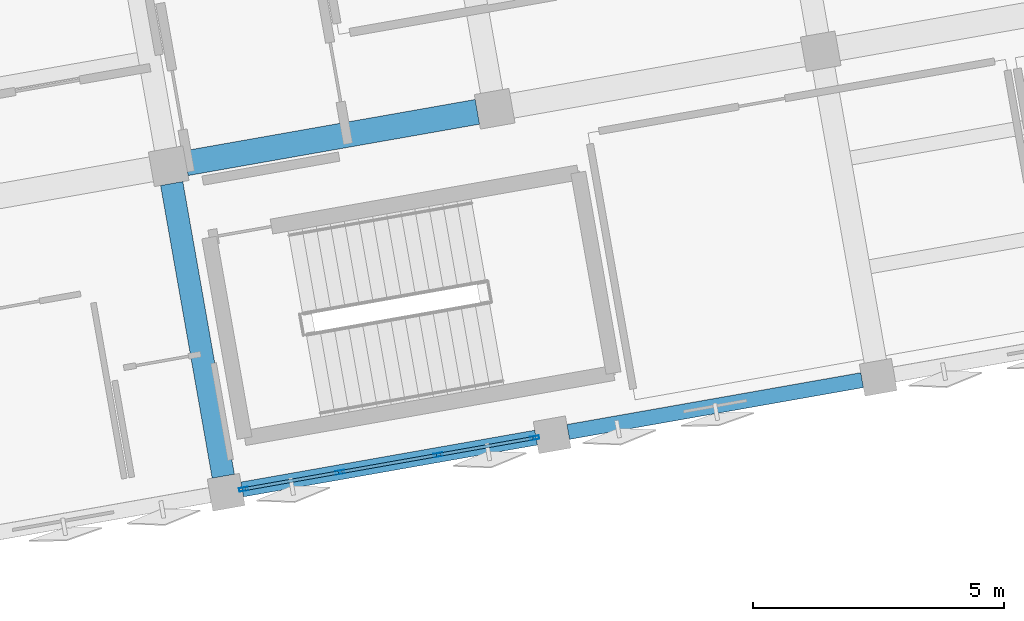
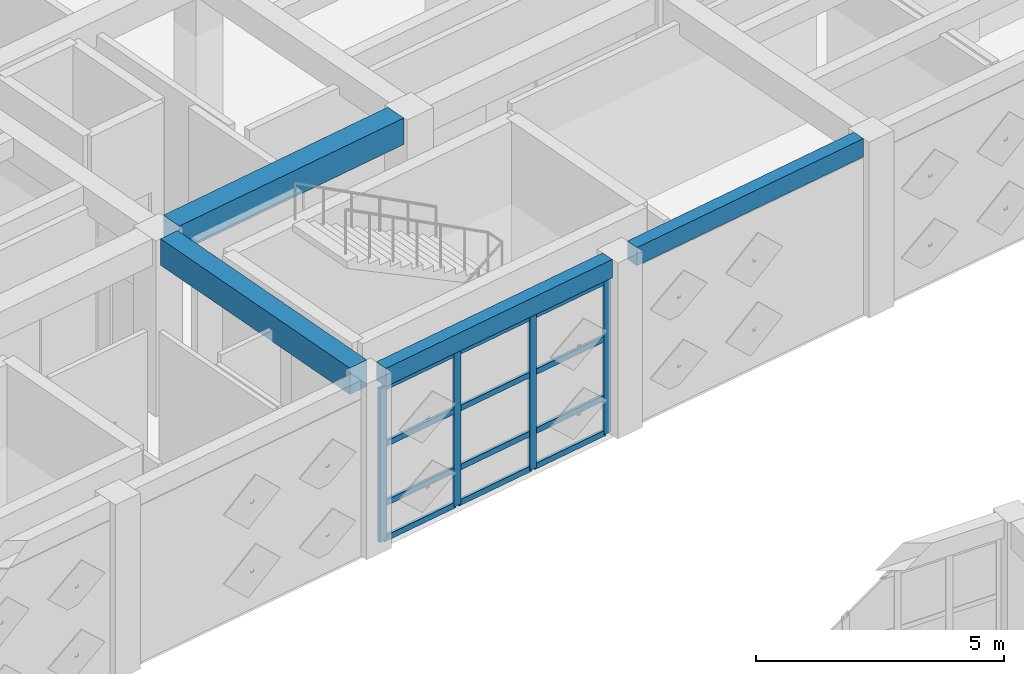
# One storey, part 13 of 67: 16 members, 4 beams, 1 element without a shape of its own.
"""IFC4 building model written with IfcOpenShell, lengths in metres."""

from ifc_helpers import new_model, si_unit, direction, frame, origin, origin_2d, place, context, subcontext, project, spatial, rectangle, hollow_rectangle, extrude, material, layer, layer_set, material_profile, profile_set, type_object, element, aggregate, save


model = new_model("IFC4")

# Units and contexts
model_context = context("Model", 3, precision=1e-05, world=origin(), true_north=direction((0.0, 1.0)))
body_context = subcontext(model_context, "Body", "Model", "MODEL_VIEW")
ifc_project = project(units=[si_unit("LENGTHUNIT", "METRE"), si_unit("AREAUNIT", "SQUARE_METRE"), si_unit("VOLUMEUNIT", "CUBIC_METRE"), si_unit("PLANEANGLEUNIT", "RADIAN"), si_unit("MASSUNIT", "GRAM", prefix="KILO")], contexts=[model_context])

# Site, building, storey
site_placement = place(None, origin())
site = spatial("IfcSite", under=ifc_project, at=site_placement, CompositionType="ELEMENT")
building_placement = place(site_placement, origin())
building = spatial("IfcBuilding", under=site, at=building_placement, Name="Kharisveld Research Institute", CompositionType="ELEMENT")
storey_placement = place(building_placement, frame((0.0, 0.0, 9.60009765625)))
storey = spatial("IfcBuildingStorey", under=building, at=storey_placement, Name="L02", CompositionType="ELEMENT", Elevation=9.60009765625)

# Beams
ifc_material_1 = material(Name="Concrete C40/50", Category="concrete")
ifc_material_profile_1 = material_profile(ifc_material_1, rectangle(XDim=0.449951171875, YDim=0.64990234375, at=origin_2d()))
ifc_profile_set_1 = profile_set([ifc_material_profile_1], Name="Concrete C40/50")
beam_type_1 = type_object("IfcBeamType", Name="BM_RC_450x650", PredefinedType="BEAM", material=ifc_profile_set_1)
beam_1_placement = place(storey_placement, frame((18.14306640625, 37.622314453125, 3.994873046875), z_axis=(-0.173639592071, 0.984809266846, 0.0), x_axis=(-0.984809266846, -0.173639592071, 0.0)))
element("IfcBeam", 1, at=beam_1_placement, inside=storey, type_object=beam_type_1, Name="BM:V1:L02:V2_0", PredefinedType="BEAM", context=body_context, shape_type="SweptSolid", body=[
    extrude(rectangle(XDim=0.449951171875, YDim=0.64990234375, at=origin_2d()), origin(), (0.0, 0.0, 1.0), 5.925048828125),
])
ifc_material_2 = material(Name="Concrete C40/50", Category="concrete")
ifc_material_profile_2 = material_profile(ifc_material_2, rectangle(XDim=0.5, YDim=0.64990234375, at=origin_2d()))
ifc_profile_set_2 = profile_set([ifc_material_profile_2], Name="Concrete C40/50")
beam_type_2 = type_object("IfcBeamType", Name="BM_RC_500x650", PredefinedType="BEAM", material=ifc_profile_set_2)
beam_2_placement = place(storey_placement, frame((17.39794921875, 43.862548828125, 3.994873046875), z_axis=(0.98480479605, 0.173664946598, 0.0), x_axis=(-0.173664946598, 0.98480479605, 0.0)))
element("IfcBeam", 2, at=beam_2_placement, inside=storey, type_object=beam_type_2, Name="BM:V1:L02:U2_1", PredefinedType="BEAM", context=body_context, shape_type="SweptSolid", body=[
    extrude(rectangle(XDim=0.5, YDim=0.64990234375, at=origin_2d()), origin(), (0.0, 0.0, 1.0), 5.900146484375),
])

# Curtain wall, members
ifc_material_3 = material(Name="Thermally Broken Aluminium Curtain Wall", Category="aluminium")
ifc_layer = layer(ifc_material_3, 0.159912109375)
ifc_layer_set = layer_set([ifc_layer], Name="CW_SYS_05")
curtain_wall_type = type_object("IfcCurtainWallType", Name="CW_SYS_05", PredefinedType="NOTDEFINED", material=ifc_layer_set)
curtain_wall_placement = place(storey_placement, origin())
curtain_wall = element("IfcCurtainWall", 3, at=curtain_wall_placement, inside=storey, type_object=curtain_wall_type, Name="CW:V1:L02:S3", PredefinedType="NOTDEFINED")
ifc_material_4 = material(Name="Anodised Aluminium AW-6063-T6", Category="aluminium")
ifc_material_profile_3 = material_profile(ifc_material_4, hollow_rectangle(XDim=0.070068359375, YDim=0.179931640625, WallThickness=0.00439453125, at=origin_2d()))
ifc_profile_set_3 = profile_set([ifc_material_profile_3], Name="Anodised Aluminium AW-6063-T6")
member_type_1 = type_object("IfcMemberType", Name="CW_MUL_180", PredefinedType="MULLION", material=ifc_profile_set_3)
member_1_placement = place(storey_placement, frame((24.349609375, 38.386474609375, 0.0), z_axis=(0.0, 0.0, 1.0), x_axis=(0.173648266375, -0.984807737371, 0.0)))
member_1 = element("IfcMember", 4, at=member_1_placement, type_object=member_type_1, Name="CW-05 mullion 1", PredefinedType="MULLION", context=body_context, shape_type="SweptSolid", body=[
    extrude(hollow_rectangle(XDim=0.070068359375, YDim=0.179931640625, WallThickness=0.00439453125, at=origin_2d()), origin(), (0.0, 0.0, 1.0), 3.77978515625),
])
member_2_placement = place(storey_placement, frame((22.427490234375, 38.047607421875, 0.0), z_axis=(0.0, 0.0, 1.0), x_axis=(0.173648266375, -0.984807737371, 0.0)))
member_2 = element("IfcMember", 5, at=member_2_placement, type_object=member_type_1, Name="CW-05 mullion 2", PredefinedType="MULLION", context=body_context, shape_type="SweptSolid", body=[
    extrude(hollow_rectangle(XDim=0.070068359375, YDim=0.179931640625, WallThickness=0.00439453125, at=origin_2d()), origin(), (0.0, 0.0, 1.0), 3.77978515625),
])
member_3_placement = place(storey_placement, frame((20.47119140625, 37.70263671875, 0.0), z_axis=(0.0, 0.0, 1.0), x_axis=(0.173648266375, -0.984807737371, 0.0)))
member_3 = element("IfcMember", 6, at=member_3_placement, type_object=member_type_1, Name="CW-05 mullion 3", PredefinedType="MULLION", context=body_context, shape_type="SweptSolid", body=[
    extrude(hollow_rectangle(XDim=0.070068359375, YDim=0.179931640625, WallThickness=0.00439453125, at=origin_2d()), origin(), (0.0, 0.0, 1.0), 3.77978515625),
])
member_4_placement = place(storey_placement, frame((18.549072265625, 37.36376953125, 0.0), z_axis=(0.0, 0.0, 1.0), x_axis=(0.173648266375, -0.984807737371, 0.0)))
member_4 = element("IfcMember", 7, at=member_4_placement, type_object=member_type_1, Name="CW-05 mullion 4", PredefinedType="MULLION", context=body_context, shape_type="SweptSolid", body=[
    extrude(hollow_rectangle(XDim=0.070068359375, YDim=0.179931640625, WallThickness=0.00439453125, at=origin_2d()), origin(), (0.0, 0.0, 1.0), 3.77978515625),
])
ifc_material_5 = material(Name="Anodised Aluminium AW-6063-T6", Category="aluminium")
ifc_material_profile_4 = material_profile(ifc_material_5, hollow_rectangle(XDim=0.06494140625, YDim=0.139892578125, WallThickness=0.00390625, at=origin_2d()))
ifc_profile_set_4 = profile_set([ifc_material_profile_4], Name="Anodised Aluminium AW-6063-T6")
member_type_2 = type_object("IfcMemberType", Name="CW_TRN_140", PredefinedType="USERDEFINED", material=ifc_profile_set_4)
member_5_placement = place(storey_placement, frame((24.315185546875, 38.380615234375, 0.032470703125), z_axis=(-0.98479270082, -0.173733521265, 0.0), x_axis=(0.173733521265, -0.98479270082, 0.0)))
member_5 = element("IfcMember", 8, at=member_5_placement, type_object=member_type_2, Name="CW-05 transom 1.1", ObjectType="TRANSOM", PredefinedType="USERDEFINED", context=body_context, shape_type="SweptSolid", body=[
    extrude(hollow_rectangle(XDim=0.06494140625, YDim=0.139892578125, WallThickness=0.00390625, at=origin_2d()), origin(), (0.0, 0.0, 1.0), 1.881591796875),
])
member_6_placement = place(storey_placement, frame((24.315185546875, 38.380615234375, 0.89990234375), z_axis=(-0.98479270082, -0.173733521265, 0.0), x_axis=(0.173733521265, -0.98479270082, 0.0)))
member_6 = element("IfcMember", 9, at=member_6_placement, type_object=member_type_2, Name="CW-05 transom 1.2", ObjectType="TRANSOM", PredefinedType="USERDEFINED", context=body_context, shape_type="SweptSolid", body=[
    extrude(hollow_rectangle(XDim=0.06494140625, YDim=0.139892578125, WallThickness=0.00390625, at=origin_2d()), origin(), (0.0, 0.0, 1.0), 1.881591796875),
])
member_7_placement = place(storey_placement, frame((24.315185546875, 38.380615234375, 2.349853515625), z_axis=(-0.98479270082, -0.173733521265, 0.0), x_axis=(0.173733521265, -0.98479270082, 0.0)))
member_7 = element("IfcMember", 10, at=member_7_placement, type_object=member_type_2, Name="CW-05 transom 1.3", ObjectType="TRANSOM", PredefinedType="USERDEFINED", context=body_context, shape_type="SweptSolid", body=[
    extrude(hollow_rectangle(XDim=0.06494140625, YDim=0.139892578125, WallThickness=0.00390625, at=origin_2d()), origin(), (0.0, 0.0, 1.0), 1.881591796875),
])
member_8_placement = place(storey_placement, frame((24.315185546875, 38.380615234375, 3.747314453125), z_axis=(-0.98479270082, -0.173733521265, 0.0), x_axis=(0.173733521265, -0.98479270082, 0.0)))
member_8 = element("IfcMember", 11, at=member_8_placement, type_object=member_type_2, Name="CW-05 transom 1.4", ObjectType="TRANSOM", PredefinedType="USERDEFINED", context=body_context, shape_type="SweptSolid", body=[
    extrude(hollow_rectangle(XDim=0.06494140625, YDim=0.139892578125, WallThickness=0.00390625, at=origin_2d()), origin(), (0.0, 0.0, 1.0), 1.881591796875),
])
member_9_placement = place(storey_placement, frame((22.39306640625, 38.04150390625, 0.032470703125), z_axis=(-0.984811758578, -0.173625459441, 0.0), x_axis=(0.173625459441, -0.984811758578, 0.0)))
member_9 = element("IfcMember", 12, at=member_9_placement, type_object=member_type_2, Name="CW-05 transom 2.1", ObjectType="TRANSOM", PredefinedType="USERDEFINED", context=body_context, shape_type="SweptSolid", body=[
    extrude(hollow_rectangle(XDim=0.06494140625, YDim=0.139892578125, WallThickness=0.00390625, at=origin_2d()), origin(), (0.0, 0.0, 1.0), 1.91650390625),
])
member_10_placement = place(storey_placement, frame((22.39306640625, 38.04150390625, 0.89990234375), z_axis=(-0.984811758578, -0.173625459441, 0.0), x_axis=(0.173625459441, -0.984811758578, 0.0)))
member_10 = element("IfcMember", 13, at=member_10_placement, type_object=member_type_2, Name="CW-05 transom 2.2", ObjectType="TRANSOM", PredefinedType="USERDEFINED", context=body_context, shape_type="SweptSolid", body=[
    extrude(hollow_rectangle(XDim=0.06494140625, YDim=0.139892578125, WallThickness=0.00390625, at=origin_2d()), origin(), (0.0, 0.0, 1.0), 1.91650390625),
])
member_11_placement = place(storey_placement, frame((22.39306640625, 38.04150390625, 2.349853515625), z_axis=(-0.984811758578, -0.173625459441, 0.0), x_axis=(0.173625459441, -0.984811758578, 0.0)))
member_11 = element("IfcMember", 14, at=member_11_placement, type_object=member_type_2, Name="CW-05 transom 2.3", ObjectType="TRANSOM", PredefinedType="USERDEFINED", context=body_context, shape_type="SweptSolid", body=[
    extrude(hollow_rectangle(XDim=0.06494140625, YDim=0.139892578125, WallThickness=0.00390625, at=origin_2d()), origin(), (0.0, 0.0, 1.0), 1.91650390625),
])
member_12_placement = place(storey_placement, frame((22.39306640625, 38.04150390625, 3.747314453125), z_axis=(-0.984811758578, -0.173625459441, 0.0), x_axis=(0.173625459441, -0.984811758578, 0.0)))
member_12 = element("IfcMember", 15, at=member_12_placement, type_object=member_type_2, Name="CW-05 transom 2.4", ObjectType="TRANSOM", PredefinedType="USERDEFINED", context=body_context, shape_type="SweptSolid", body=[
    extrude(hollow_rectangle(XDim=0.06494140625, YDim=0.139892578125, WallThickness=0.00390625, at=origin_2d()), origin(), (0.0, 0.0, 1.0), 1.91650390625),
])
member_13_placement = place(storey_placement, frame((20.4365234375, 37.696533203125, 0.032470703125), z_axis=(-0.984814892183, -0.173607684551, 0.0), x_axis=(0.173607684551, -0.984814892183, 0.0)))
member_13 = element("IfcMember", 16, at=member_13_placement, type_object=member_type_2, Name="CW-05 transom 3.1", ObjectType="TRANSOM", PredefinedType="USERDEFINED", context=body_context, shape_type="SweptSolid", body=[
    extrude(hollow_rectangle(XDim=0.06494140625, YDim=0.139892578125, WallThickness=0.00390625, at=origin_2d()), origin(), (0.0, 0.0, 1.0), 1.881591796875),
])
member_14_placement = place(storey_placement, frame((20.4365234375, 37.696533203125, 0.89990234375), z_axis=(-0.984814892183, -0.173607684551, 0.0), x_axis=(0.173607684551, -0.984814892183, 0.0)))
member_14 = element("IfcMember", 17, at=member_14_placement, type_object=member_type_2, Name="CW-05 transom 3.2", ObjectType="TRANSOM", PredefinedType="USERDEFINED", context=body_context, shape_type="SweptSolid", body=[
    extrude(hollow_rectangle(XDim=0.06494140625, YDim=0.139892578125, WallThickness=0.00390625, at=origin_2d()), origin(), (0.0, 0.0, 1.0), 1.881591796875),
])
member_15_placement = place(storey_placement, frame((20.4365234375, 37.696533203125, 2.349853515625), z_axis=(-0.984814892183, -0.173607684551, 0.0), x_axis=(0.173607684551, -0.984814892183, 0.0)))
member_15 = element("IfcMember", 18, at=member_15_placement, type_object=member_type_2, Name="CW-05 transom 3.3", ObjectType="TRANSOM", PredefinedType="USERDEFINED", context=body_context, shape_type="SweptSolid", body=[
    extrude(hollow_rectangle(XDim=0.06494140625, YDim=0.139892578125, WallThickness=0.00390625, at=origin_2d()), origin(), (0.0, 0.0, 1.0), 1.881591796875),
])
member_16_placement = place(storey_placement, frame((20.4365234375, 37.696533203125, 3.747314453125), z_axis=(-0.984814892183, -0.173607684551, 0.0), x_axis=(0.173607684551, -0.984814892183, 0.0)))
member_16 = element("IfcMember", 19, at=member_16_placement, type_object=member_type_2, Name="CW-05 transom 3.4", ObjectType="TRANSOM", PredefinedType="USERDEFINED", context=body_context, shape_type="SweptSolid", body=[
    extrude(hollow_rectangle(XDim=0.06494140625, YDim=0.139892578125, WallThickness=0.00390625, at=origin_2d()), origin(), (0.0, 0.0, 1.0), 1.881591796875),
])
aggregate(curtain_wall, [member_1, member_2, member_3, member_4, member_5, member_6, member_7, member_8, member_9, member_10, member_11, member_12, member_13, member_14, member_15, member_16])

# Beams
ifc_material_6 = material(Name="Concrete C40/50", Category="concrete")
ifc_material_profile_5 = material_profile(ifc_material_6, rectangle(XDim=0.300048828125, YDim=0.449951171875, at=origin_2d()))
ifc_profile_set_5 = profile_set([ifc_material_profile_5], Name="Concrete C40/50")
beam_type_3 = type_object("IfcBeamType", Name="SP_RC_300x450", PredefinedType="SPANDREL", material=ifc_profile_set_5)
for number, where, z_axis, x_axis, name in (
    (20, (18.51953125, 37.358642578125, 4.094970703125), (0.984807920462, 0.173647228007, 0.0), (-0.173647228007, 0.984807920462, 0.0), "BM:V1:L02:U2_0"),
    (21, (25.019287109375, 38.504638671875, 4.094970703125), (0.984807920462, 0.173647228007, 0.0), (-0.173647228007, 0.984807920462, 0.0), "BM:V1:L02:U3_0"),
):
    element("IfcBeam", number, at=place(storey_placement, frame(where, z_axis=z_axis, x_axis=x_axis)), inside=storey, type_object=beam_type_3, Name=name, PredefinedType="SPANDREL", context=body_context, shape_type="SweptSolid", body=[
        extrude(rectangle(XDim=0.300048828125, YDim=0.449951171875, at=origin_2d()), origin(), (0.0, 0.0, 1.0), 5.949951171875),
    ])

save(model, "model.ifc")
